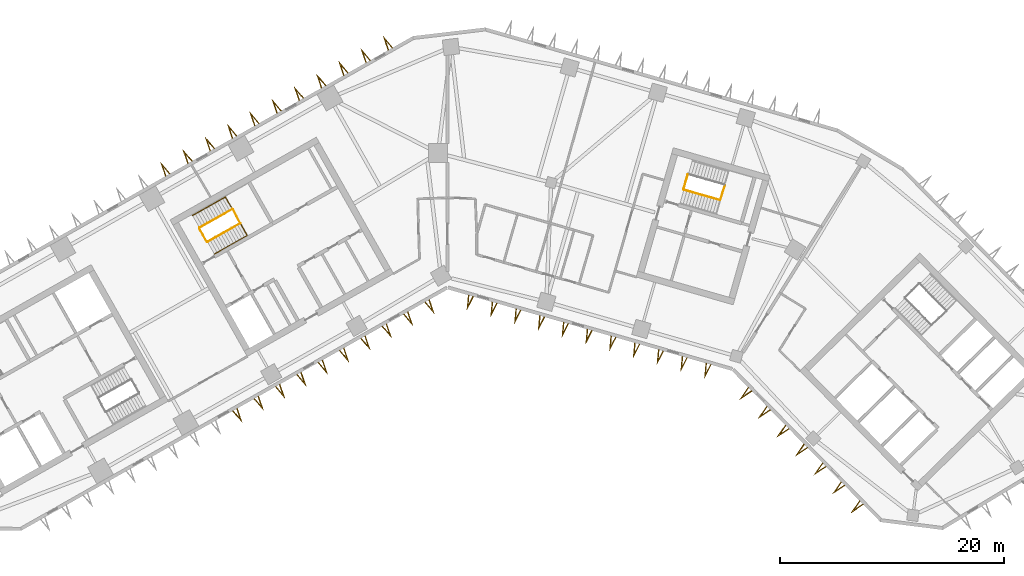
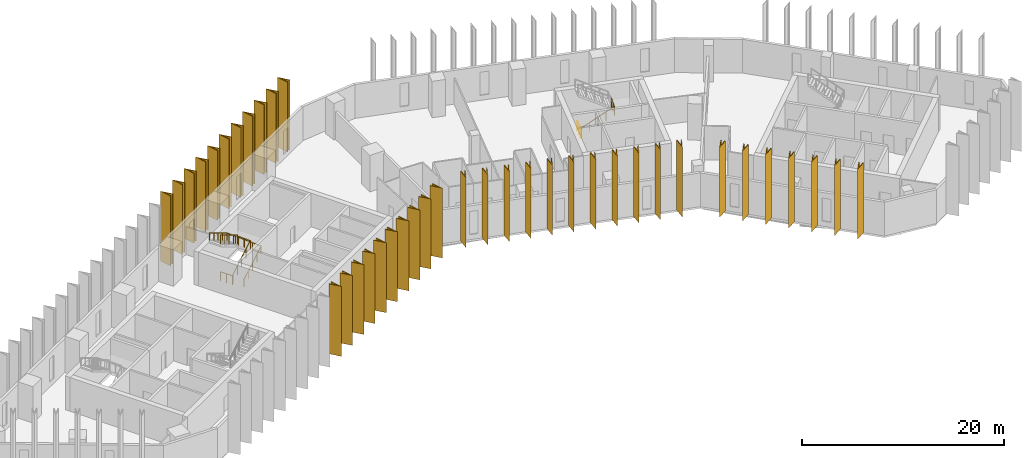
# One storey, part 10 of 11: 39 shading devices, 6 railings.
"""IFC4 building model written with IfcOpenShell, lengths in metres."""

import ifcopenshell
import ifcopenshell.guid

model = None  # the IFC model being written
_history = None  # IfcOwnerHistory: only IFC2X3 demands one
_inside = {}  # id of a spatial element -> (the spatial element, [elements in it])
_under = {}  # id of a project, library or spatial element -> (it, [spatial elements below it])
_declared = {}  # id of a project -> (the project, [libraries it declares])
_typed = {}  # id of a type object -> (the type object, [elements of that type])
_made_of = {}  # id of a material, layer set ... -> (it, [elements and type objects made of it])


def new_model(schema):
    """Start an empty IFC model of exactly this schema.

    Asked for "IFC4X3", IfcOpenShell would pick the latest addendum, in which some entities
    have other attributes; the version numbers below select the first issue.
    IFC2X3 requires an IfcOwnerHistory on every rooted entity: one is made here for all.
    """
    global model, _history
    if schema == "IFC4X3":
        model = ifcopenshell.file(schema_version=(4, 3, 0, 0))
    else:
        model = ifcopenshell.file(schema=schema)
    _inside.clear()
    _under.clear()
    _declared.clear()
    _typed.clear()
    _made_of.clear()
    _history = None
    if model.schema == "IFC2X3":
        org = make("IfcOrganization", Name="unknown")
        user = make(
            "IfcPersonAndOrganization",
            ThePerson=make("IfcPerson", FamilyName="unknown"),
            TheOrganization=org,
        )
        app = make(
            "IfcApplication",
            ApplicationDeveloper=org,
            Version="unknown",
            ApplicationFullName="unknown",
            ApplicationIdentifier="unknown",
        )
        _history = make(
            "IfcOwnerHistory",
            OwningUser=user,
            OwningApplication=app,
            ChangeAction="ADDED",
            CreationDate=0,
        )
    return model


def make(cls, **values):
    """One entity of the class cls with the attributes given. An attribute that is None is left unset."""
    return model.create_entity(
        cls, **{name: value for name, value in values.items() if value is not None}
    )


def rooted(cls, **values):
    """An entity with a GlobalId (a new one), such as an element, a storey or a relation."""
    return make(cls, GlobalId=ifcopenshell.guid.new(), OwnerHistory=_history, **values)


def si_unit(unit_type, name, prefix=None):
    """IfcSIUnit, for example si_unit("LENGTHUNIT", "METRE", prefix="MILLI")."""
    return make("IfcSIUnit", UnitType=unit_type, Prefix=prefix, Name=name)


def assignment(units):
    """IfcUnitAssignment: the units of a project."""
    return None if units is None else make("IfcUnitAssignment", Units=units)


def point(xyz):
    """IfcCartesianPoint."""
    return None if xyz is None else make("IfcCartesianPoint", Coordinates=xyz)


def direction(xyz):
    """IfcDirection."""
    return None if xyz is None else make("IfcDirection", DirectionRatios=xyz)


def frame(location, z_axis=None, x_axis=None):
    """IfcAxis2Placement3D, a coordinate frame: its origin and axes. An axis left out is left unset."""
    return make(
        "IfcAxis2Placement3D",
        Location=point(location),
        Axis=direction(z_axis),
        RefDirection=direction(x_axis),
    )


def frame_2d(location, x_axis=None):
    """IfcAxis2Placement2D, a coordinate frame in the plane: its origin and x axis."""
    return make(
        "IfcAxis2Placement2D", Location=point(location), RefDirection=direction(x_axis)
    )


def origin():
    """The frame at (0, 0, 0) with its axes left unset."""
    return frame((0.0, 0.0, 0.0))


def origin_2d():
    """The frame at (0, 0) in the plane with its x axis left unset."""
    return frame_2d((0.0, 0.0))


def place(relative_to, where):
    """IfcLocalPlacement: puts the frame where relative to a parent placement (None: the world)."""
    return make(
        "IfcLocalPlacement", PlacementRelTo=relative_to, RelativePlacement=where
    )


def context(
    kind, dimensions, precision=None, world=None, true_north=None, identifier=None
):
    """IfcGeometricRepresentationContext, for example the 3D "Model" context."""
    return make(
        "IfcGeometricRepresentationContext",
        ContextIdentifier=identifier,
        ContextType=kind,
        CoordinateSpaceDimension=dimensions,
        Precision=precision,
        WorldCoordinateSystem=world,
        TrueNorth=true_north,
    )


def subcontext(parent, identifier, kind, view, scale=None):
    """IfcGeometricRepresentationSubContext, for example "Body" below "Model"."""
    return make(
        "IfcGeometricRepresentationSubContext",
        ContextIdentifier=identifier,
        ContextType=kind,
        ParentContext=parent,
        TargetScale=scale,
        TargetView=view,
    )


def project(units=None, contexts=None):
    """IfcProject with its units and contexts."""
    return rooted(
        "IfcProject",
        Name="project",
        RepresentationContexts=contexts,
        UnitsInContext=assignment(units),
    )


def spatial(cls, under=None, at=None, **own):
    """A site, building, storey or space (cls), placed at a placement, below another one or the project."""
    s = rooted(cls, ObjectPlacement=at, **own)
    if under is not None:
        _under.setdefault(under.id(), (under, []))[1].append(s)
    return s


def polyline(points):
    """IfcPolyline through the points."""
    return make("IfcPolyline", Points=[point(p) for p in points])


def profile(cls, at=None, kind="AREA", **sizes):
    """A parametric profile (cls). Its sizes go by their IFC names, for example OverallWidth=200.0."""
    return make(cls, ProfileType=kind, Position=at, **sizes)


def circle(**sizes):
    """IfcCircleProfileDef."""
    return profile("IfcCircleProfileDef", **sizes)


def outline(outer, holes=None, kind="AREA"):
    """IfcArbitraryClosedProfileDef: a profile drawn as a closed curve; with holes, ...WithVoids."""
    if holes is None:
        return make("IfcArbitraryClosedProfileDef", ProfileType=kind, OuterCurve=outer)
    return make(
        "IfcArbitraryProfileDefWithVoids",
        ProfileType=kind,
        OuterCurve=outer,
        InnerCurves=holes,
    )


def extrude(swept, where, along, depth):
    """IfcExtrudedAreaSolid: the profile swept, set in the frame where, extruded along a direction by depth."""
    return make(
        "IfcExtrudedAreaSolid",
        SweptArea=swept,
        Position=where,
        ExtrudedDirection=direction(along),
        Depth=depth,
    )


def shape(context_of_items, identifier, shape_type, items):
    """IfcShapeRepresentation: the items that make up one representation, for example the "Body"."""
    return make(
        "IfcShapeRepresentation",
        ContextOfItems=context_of_items,
        RepresentationIdentifier=identifier,
        RepresentationType=shape_type,
        Items=items,
    )


def material(Name=None, Category=None):
    """IfcMaterial."""
    return make("IfcMaterial", Name=Name, Category=Category)


def made_of(thing, what):
    """Note that an element or type object is made of a material, layer set ...; save() writes the relation."""
    if what is not None:
        _made_of.setdefault(what.id(), (what, []))[1].append(thing)
    return thing


def type_object(cls, material=None, **own):
    """A type object (cls), such as IfcWallType, which elements share."""
    return made_of(rooted(cls, **own), material)


def element(
    cls,
    number,
    at=None,
    inside=None,
    cuts=None,
    type_object=None,
    material=None,
    context=None,
    identifier="Body",
    shape_type=None,
    held_by="IfcProductDefinitionShape",
    body=None,
    shapes=None,
    **own,
):
    """One element of the class cls, such as IfcWall. Its Tag is "e" and its number.

    at: its placement. inside: the storey or other place that contains it. cuts: it is an
    opening in that element (IfcRelVoidsElement). A single representation is given by context,
    identifier, shape_type and body (its items); several are given by shapes. held_by: the class
    of the entity that holds the representations. save() writes the other relations.
    """
    e = rooted(cls, Tag="e%d" % number, ObjectPlacement=at, **own)
    if body is not None:
        shapes = [shape(context, identifier, shape_type, body)]
    if shapes is not None:
        e.Representation = make(held_by, Representations=shapes)
    if inside is not None:
        _inside.setdefault(inside.id(), (inside, []))[1].append(e)
    if cuts is not None:
        rooted(
            "IfcRelVoidsElement", RelatingBuildingElement=cuts, RelatedOpeningElement=e
        )
    if type_object is not None:
        _typed.setdefault(type_object.id(), (type_object, []))[1].append(e)
    return made_of(e, material)


def aggregate(whole, parts):
    """IfcRelAggregates: a whole, such as a stair, and the parts it consists of."""
    return rooted("IfcRelAggregates", RelatingObject=whole, RelatedObjects=parts)


def save(model, path):
    """Write the relations noted so far, then the file.

    IfcRelAggregates (storeys below a building ...), IfcRelContainedInSpatialStructure (elements
    in a storey), IfcRelDefinesByType, IfcRelAssociatesMaterial and IfcRelDeclares: one each for
    every whole, place, type object, material and project.
    """
    for whole, parts in _under.values():
        aggregate(whole, parts)
    for where, things in _inside.values():
        rooted(
            "IfcRelContainedInSpatialStructure",
            RelatedElements=things,
            RelatingStructure=where,
        )
    for kind, things in _typed.values():
        rooted("IfcRelDefinesByType", RelatedObjects=things, RelatingType=kind)
    for what, things in _made_of.values():
        rooted("IfcRelAssociatesMaterial", RelatedObjects=things, RelatingMaterial=what)
    for by, libraries in _declared.values():
        rooted("IfcRelDeclares", RelatingContext=by, RelatedDefinitions=libraries)
    model.write(path)


model = new_model("IFC4")

# Units and contexts
model_context = context("Model", 3, precision=1e-05, world=origin(), true_north=direction((0.0, 1.0)))
body_context = subcontext(model_context, "Body", "Model", "MODEL_VIEW")
ifc_project = project(units=[si_unit("LENGTHUNIT", "METRE"), si_unit("AREAUNIT", "SQUARE_METRE"), si_unit("VOLUMEUNIT", "CUBIC_METRE"), si_unit("PLANEANGLEUNIT", "RADIAN"), si_unit("MASSUNIT", "GRAM", prefix="KILO")], contexts=[model_context])

# Site, building, storey
site_placement = place(None, origin())
site = spatial("IfcSite", under=ifc_project, at=site_placement, CompositionType="ELEMENT")
building_placement = place(site_placement, origin())
building = spatial("IfcBuilding", under=site, at=building_placement, Name="Binnacle Exchange Tower", CompositionType="ELEMENT")
storey_placement = place(building_placement, frame((0.0, 0.0, 141.10009765625)))
storey = spatial("IfcBuildingStorey", under=building, at=storey_placement, Name="L29", CompositionType="ELEMENT", Elevation=141.10009765625)

# Railings
ifc_material_1 = material(Name="Steel guard rail", Category="steel")
railing_type_1 = type_object("IfcRailingType", Name="STAIR GUARD 1100", PredefinedType="GUARDRAIL", material=ifc_material_1)
railing_1_placement = place(storey_placement, frame((-21.423828125, 52.07275390625, 0.169189453125)))
element("IfcRailing", 1, at=railing_1_placement, inside=storey, type_object=railing_type_1, Name="L29 STC1 stair guard 1", PredefinedType="GUARDRAIL", context=body_context, shape_type="SweptSolid", body=[
    extrude(circle(Radius=0.02392578125, at=origin_2d()), frame((0.0, 0.0, 1.076171875), z_axis=(0.744895141965, 0.421417011194, 0.517241655469), x_axis=(-0.49240197835, 0.870367905955, 0.0)), (0.0, 0.0, 1.0), 3.926025390625),
    extrude(circle(Radius=0.02392578125, at=origin_2d()), frame((2.924560546875, 1.654541015625, 3.10693359375), z_axis=(-0.461171632143, 0.887310952094, 0.0), x_axis=(-0.887310952094, -0.461171632143, 0.0)), (0.0, 0.0, 1.0), 1.40087890625),
    extrude(circle(Radius=0.02099609375, at=origin_2d()), origin(), (0.0, 0.0, 1.0), 1.052001953125),
    extrude(circle(Radius=0.02099609375, at=origin_2d()), frame((0.731201171875, 0.41357421875, 0.5078125)), (0.0, 0.0, 1.0), 1.052001953125),
    extrude(circle(Radius=0.02099609375, at=origin_2d()), frame((1.46240234375, 0.8271484375, 1.015380859375)), (0.0, 0.0, 1.0), 1.052001953125),
    extrude(circle(Radius=0.02099609375, at=origin_2d()), frame((2.193359375, 1.240966796875, 1.52294921875)), (0.0, 0.0, 1.0), 1.052001953125),
    extrude(circle(Radius=0.02099609375, at=origin_2d()), frame((2.924560546875, 1.654541015625, 2.03076171875)), (0.0, 0.0, 1.0), 1.052001953125),
    extrude(circle(Radius=0.02099609375, at=origin_2d()), frame((2.6015625, 2.27587890625, 2.03076171875)), (0.0, 0.0, 1.0), 1.052001953125),
    extrude(circle(Radius=0.02099609375, at=origin_2d()), frame((2.278564453125, 2.8974609375, 2.03076171875)), (0.0, 0.0, 1.0), 1.052001953125),
])
railing_2_placement = place(storey_placement, frame((-19.21337890625, 54.9892578125, 2.369140625)))
element("IfcRailing", 2, at=railing_2_placement, inside=storey, type_object=railing_type_1, Name="L29 STC1 stair guard 2", PredefinedType="GUARDRAIL", context=body_context, shape_type="SweptSolid", body=[
    extrude(circle(Radius=0.02392578125, at=origin_2d()), frame((0.0, 0.0, 1.076171875), z_axis=(-0.744867460262, -0.421436531824, 0.517265614832), x_axis=(0.492433119026, -0.870350287693, 0.0)), (0.0, 0.0, 1.0), 3.926025390625),
    extrude(circle(Radius=0.02099609375, at=origin_2d()), origin(), (0.0, 0.0, 1.0), 1.052001953125),
    extrude(circle(Radius=0.02099609375, at=origin_2d()), frame((-0.73095703125, -0.41357421875, 0.5078125)), (0.0, 0.0, 1.0), 1.052001953125),
    extrude(circle(Radius=0.02099609375, at=origin_2d()), frame((-1.462158203125, -0.8271484375, 1.015380859375)), (0.0, 0.0, 1.0), 1.052001953125),
    extrude(circle(Radius=0.02099609375, at=origin_2d()), frame((-2.193359375, -1.240966796875, 1.52294921875)), (0.0, 0.0, 1.0), 1.052001953125),
    extrude(circle(Radius=0.02099609375, at=origin_2d()), frame((-2.92431640625, -1.654541015625, 2.03076171875)), (0.0, 0.0, 1.0), 1.052001953125),
])
railing_3_placement = place(storey_placement, frame((-21.491943359375, 52.091552734375, 0.0)))
element("IfcRailing", 3, at=railing_3_placement, inside=storey, type_object=railing_type_1, Name="L29 STC1 stair guard 3", PredefinedType="GUARDRAIL", context=body_context, shape_type="SweptSolid", body=[
    extrude(circle(Radius=0.02392578125, at=origin_2d()), frame((0.0, 0.0, 1.076171875), z_axis=(-0.49241474071, 0.870360685654, 0.0), x_axis=(-0.870360685654, -0.49241474071, 0.0)), (0.0, 0.0, 1.0), 1.35009765625),
    extrude(circle(Radius=0.02099609375, at=origin_2d()), origin(), (0.0, 0.0, 1.0), 1.052001953125),
    extrude(circle(Radius=0.02099609375, at=origin_2d()), frame((-0.33251953125, 0.58740234375, 0.0)), (0.0, 0.0, 1.0), 1.052001953125),
    extrude(circle(Radius=0.02099609375, at=origin_2d()), frame((-0.664794921875, 1.175048828125, 0.0)), (0.0, 0.0, 1.0), 1.052001953125),
])
railing_4_placement = place(storey_placement, frame((21.086669921875, 56.71044921875, 0.169189453125)))
element("IfcRailing", 4, at=railing_4_placement, inside=storey, type_object=railing_type_1, Name="L29 STD1 stair guard 1", PredefinedType="GUARDRAIL", context=body_context, shape_type="SweptSolid", body=[
    extrude(circle(Radius=0.02392578125, at=origin_2d()), frame((0.0, 0.0, 1.076171875), z_axis=(0.82266146106, -0.235934506256, 0.517264950721), x_axis=(0.27568068152, 0.961249271436, 0.0)), (0.0, 0.0, 1.0), 3.926025390625),
    extrude(circle(Radius=0.02392578125, at=origin_2d()), frame((3.229736328125, -0.92626953125, 3.10693359375), z_axis=(0.309842533299, 0.950787886208, 0.0), x_axis=(-0.950787886208, 0.309842533299, 0.0)), (0.0, 0.0, 1.0), 1.40087890625),
    extrude(circle(Radius=0.02099609375, at=origin_2d()), origin(), (0.0, 0.0, 1.0), 1.052001953125),
    extrude(circle(Radius=0.02099609375, at=origin_2d()), frame((0.807373046875, -0.2314453125, 0.5078125)), (0.0, 0.0, 1.0), 1.052001953125),
    extrude(circle(Radius=0.02099609375, at=origin_2d()), frame((1.61474609375, -0.463134765625, 1.015380859375)), (0.0, 0.0, 1.0), 1.052001953125),
    extrude(circle(Radius=0.02099609375, at=origin_2d()), frame((2.42236328125, -0.69482421875, 1.52294921875)), (0.0, 0.0, 1.0), 1.052001953125),
    extrude(circle(Radius=0.02099609375, at=origin_2d()), frame((3.229736328125, -0.92626953125, 2.03076171875)), (0.0, 0.0, 1.0), 1.052001953125),
    extrude(circle(Radius=0.02099609375, at=origin_2d()), frame((3.44677734375, -0.26025390625, 2.03076171875)), (0.0, 0.0, 1.0), 1.052001953125),
    extrude(circle(Radius=0.02099609375, at=origin_2d()), frame((3.663818359375, 0.40576171875, 2.03076171875)), (0.0, 0.0, 1.0), 1.052001953125),
])
railing_5_placement = place(storey_placement, frame((21.05224609375, 56.772216796875, 0.0)))
element("IfcRailing", 5, at=railing_5_placement, inside=storey, type_object=railing_type_1, Name="L29 STD1 stair guard 3", PredefinedType="GUARDRAIL", context=body_context, shape_type="SweptSolid", body=[
    extrude(circle(Radius=0.02392578125, at=origin_2d()), frame((0.0, 0.0, 1.076171875), z_axis=(0.275795817769, 0.961216243569, 0.0), x_axis=(-0.961216243569, 0.275795817769, 0.0)), (0.0, 0.0, 1.0), 1.349853515625),
    extrude(circle(Radius=0.02099609375, at=origin_2d()), origin(), (0.0, 0.0, 1.0), 1.052001953125),
    extrude(circle(Radius=0.02099609375, at=origin_2d()), frame((0.18603515625, 0.64892578125, 0.0)), (0.0, 0.0, 1.0), 1.052001953125),
    extrude(circle(Radius=0.02099609375, at=origin_2d()), frame((0.372314453125, 1.297607421875, 0.0)), (0.0, 0.0, 1.0), 1.052001953125),
])
ifc_material_2 = material(Name="Steel handrail", Category="steel")
railing_type_2 = type_object("IfcRailingType", Name="STAIR HANDRAIL 900", PredefinedType="HANDRAIL", material=ifc_material_2)
railing_6_placement = place(storey_placement, frame((-20.808349609375, 50.984619140625, 0.169189453125)))
element("IfcRailing", 6, at=railing_6_placement, inside=storey, type_object=railing_type_2, Name="L29 STC1 stair handrail 1", PredefinedType="HANDRAIL", context=body_context, shape_type="SweptSolid", body=[
    extrude(circle(Radius=0.02392578125, at=origin_2d()), frame((0.0, 0.0, 0.8759765625), z_axis=(0.744895141965, 0.421417011194, 0.517241655469), x_axis=(-0.49240197835, 0.870367905955, 0.0)), (0.0, 0.0, 1.0), 3.926025390625),
    extrude(circle(Radius=0.02392578125, at=origin_2d()), frame((2.924560546875, 1.654541015625, 2.90673828125), z_axis=(-0.491962556146, 0.869564041126, 0.04279277663), x_axis=(-0.870361318571, -0.492413622004, 0.0)), (0.0, 0.0, 1.0), 3.95361328125),
    extrude(circle(Radius=0.02392578125, at=origin_2d()), frame((0.9794921875, 5.092529296875, 3.07568359375), z_axis=(-0.744895141965, -0.421417011194, 0.517241655469), x_axis=(0.49240197835, -0.870367905955, 0.0)), (0.0, 0.0, 1.0), 3.926025390625),
    extrude(circle(Radius=0.02099609375, at=origin_2d()), origin(), (0.0, 0.0, 1.0), 0.851806640625),
    extrude(circle(Radius=0.02099609375, at=origin_2d()), frame((0.731201171875, 0.41357421875, 0.5078125)), (0.0, 0.0, 1.0), 0.851806640625),
    extrude(circle(Radius=0.02099609375, at=origin_2d()), frame((1.46240234375, 0.8271484375, 1.015380859375)), (0.0, 0.0, 1.0), 0.851806640625),
    extrude(circle(Radius=0.02099609375, at=origin_2d()), frame((2.193359375, 1.240966796875, 1.52294921875)), (0.0, 0.0, 1.0), 0.851806640625),
    extrude(circle(Radius=0.02099609375, at=origin_2d()), frame((2.924560546875, 1.654541015625, 2.03076171875)), (0.0, 0.0, 1.0), 0.851806640625),
    extrude(circle(Radius=0.02099609375, at=origin_2d()), frame((2.438232421875, 2.51416015625, 2.072998046875)), (0.0, 0.0, 1.0), 0.851806640625),
    extrude(circle(Radius=0.02099609375, at=origin_2d()), frame((1.9521484375, 3.37353515625, 2.115234375)), (0.0, 0.0, 1.0), 0.851806640625),
    extrude(circle(Radius=0.02099609375, at=origin_2d()), frame((1.4658203125, 4.23291015625, 2.15771484375)), (0.0, 0.0, 1.0), 0.851806640625),
    extrude(circle(Radius=0.02099609375, at=origin_2d()), frame((0.9794921875, 5.092529296875, 2.199951171875)), (0.0, 0.0, 1.0), 0.851806640625),
    extrude(circle(Radius=0.02099609375, at=origin_2d()), frame((0.248291015625, 4.678955078125, 2.70751953125)), (0.0, 0.0, 1.0), 0.851806640625),
    extrude(circle(Radius=0.02099609375, at=origin_2d()), frame((-0.48291015625, 4.26513671875, 3.21533203125)), (0.0, 0.0, 1.0), 0.851806640625),
    extrude(circle(Radius=0.02099609375, at=origin_2d()), frame((-1.2138671875, 3.8515625, 3.72314453125)), (0.0, 0.0, 1.0), 0.851806640625),
    extrude(circle(Radius=0.02099609375, at=origin_2d()), frame((-1.945068359375, 3.43798828125, 4.230712890625)), (0.0, 0.0, 1.0), 0.851806640625),
])

# Shading devices
ifc_material_3 = material(Name="Bronze aluminium cladding", Category="aluminium")
shading_device_type = type_object("IfcShadingDeviceType", Name="V FIN 1300 DEEP x 8450 HIGH", PredefinedType="USERDEFINED", material=ifc_material_3)
shading_device_1_placement = place(storey_placement, origin())
element("IfcShadingDevice", 7, at=shading_device_1_placement, inside=storey, type_object=shading_device_type, Name="V fin FN-F03-01 L29", ObjectType="FIN", PredefinedType="USERDEFINED", context=body_context, shape_type="SweptSolid", body=[
    extrude(outline(polyline([(-4.88916015625, 69.40625), (-5.746826171875, 70.41455078125), (-5.32421875, 69.159912109375), (-5.25341796875, 69.2001953125), (-5.5380859375, 70.0458984375), (-4.9599609375, 69.3662109375), (-4.88916015625, 69.40625)])), origin(), (0.0, 0.0, 1.0), 8.449951171875),
])
shading_device_2_placement = place(storey_placement, origin())
element("IfcShadingDevice", 8, at=shading_device_2_placement, inside=storey, type_object=shading_device_type, Name="V fin FN-F03-02 L29", ObjectType="FIN", PredefinedType="USERDEFINED", context=body_context, shape_type="SweptSolid", body=[
    extrude(outline(polyline([(-6.87548828125, 68.2822265625), (-7.7333984375, 69.290771484375), (-7.310791015625, 68.0361328125), (-7.239990234375, 68.076171875), (-7.524658203125, 68.922119140625), (-6.946533203125, 68.2421875), (-6.87548828125, 68.2822265625)])), origin(), (0.0, 0.0, 1.0), 8.449951171875),
])
shading_device_3_placement = place(storey_placement, origin())
element("IfcShadingDevice", 9, at=shading_device_3_placement, inside=storey, type_object=shading_device_type, Name="V fin FN-F03-03 L29", ObjectType="FIN", PredefinedType="USERDEFINED", context=body_context, shape_type="SweptSolid", body=[
    extrude(outline(polyline([(-8.862060546875, 67.158203125), (-9.719970703125, 68.166748046875), (-9.29736328125, 66.912109375), (-9.226318359375, 66.9521484375), (-9.51123046875, 67.798095703125), (-8.93310546875, 67.1181640625), (-8.862060546875, 67.158203125)])), origin(), (0.0, 0.0, 1.0), 8.449951171875),
])
shading_device_4_placement = place(storey_placement, origin())
element("IfcShadingDevice", 10, at=shading_device_4_placement, inside=storey, type_object=shading_device_type, Name="V fin FN-F03-04 L29", ObjectType="FIN", PredefinedType="USERDEFINED", context=body_context, shape_type="SweptSolid", body=[
    extrude(outline(polyline([(-10.8486328125, 66.034423828125), (-11.70654296875, 67.042724609375), (-11.283935546875, 65.7880859375), (-11.212890625, 65.828369140625), (-11.497802734375, 66.674072265625), (-10.919677734375, 65.994384765625), (-10.8486328125, 66.034423828125)])), origin(), (0.0, 0.0, 1.0), 8.449951171875),
])
shading_device_5_placement = place(storey_placement, origin())
element("IfcShadingDevice", 11, at=shading_device_5_placement, inside=storey, type_object=shading_device_type, Name="V fin FN-F03-05 L29", ObjectType="FIN", PredefinedType="USERDEFINED", context=body_context, shape_type="SweptSolid", body=[
    extrude(outline(polyline([(-12.835205078125, 64.910400390625), (-13.693115234375, 65.9189453125), (-13.2705078125, 64.664306640625), (-13.199462890625, 64.704345703125), (-13.484375, 65.55029296875), (-12.906005859375, 64.870361328125), (-12.835205078125, 64.910400390625)])), origin(), (0.0, 0.0, 1.0), 8.449951171875),
])
shading_device_6_placement = place(storey_placement, origin())
element("IfcShadingDevice", 12, at=shading_device_6_placement, inside=storey, type_object=shading_device_type, Name="V fin FN-F03-06 L29", ObjectType="FIN", PredefinedType="USERDEFINED", context=body_context, shape_type="SweptSolid", body=[
    extrude(outline(polyline([(-14.82177734375, 63.78662109375), (-15.6796875, 64.794921875), (-15.257080078125, 63.540283203125), (-15.18603515625, 63.580322265625), (-15.470947265625, 64.42626953125), (-14.892578125, 63.746337890625), (-14.82177734375, 63.78662109375)])), origin(), (0.0, 0.0, 1.0), 8.449951171875),
])
shading_device_7_placement = place(storey_placement, origin())
element("IfcShadingDevice", 13, at=shading_device_7_placement, inside=storey, type_object=shading_device_type, Name="V fin FN-F03-07 L29", ObjectType="FIN", PredefinedType="USERDEFINED", context=body_context, shape_type="SweptSolid", body=[
    extrude(outline(polyline([(-16.808349609375, 62.66259765625), (-17.666015625, 63.6708984375), (-17.243408203125, 62.41650390625), (-17.172607421875, 62.45654296875), (-17.45751953125, 63.30224609375), (-16.879150390625, 62.62255859375), (-16.808349609375, 62.66259765625)])), origin(), (0.0, 0.0, 1.0), 8.449951171875),
])
shading_device_8_placement = place(storey_placement, origin())
element("IfcShadingDevice", 14, at=shading_device_8_placement, inside=storey, type_object=shading_device_type, Name="V fin FN-F03-08 L29", ObjectType="FIN", PredefinedType="USERDEFINED", context=body_context, shape_type="SweptSolid", body=[
    extrude(outline(polyline([(-18.794921875, 61.53857421875), (-19.652587890625, 62.547119140625), (-19.22998046875, 61.29248046875), (-19.1591796875, 61.33251953125), (-19.444091796875, 62.17822265625), (-18.86572265625, 61.49853515625), (-18.794921875, 61.53857421875)])), origin(), (0.0, 0.0, 1.0), 8.449951171875),
])
shading_device_9_placement = place(storey_placement, origin())
element("IfcShadingDevice", 15, at=shading_device_9_placement, inside=storey, type_object=shading_device_type, Name="V fin FN-F03-09 L29", ObjectType="FIN", PredefinedType="USERDEFINED", context=body_context, shape_type="SweptSolid", body=[
    extrude(outline(polyline([(-20.781494140625, 60.414794921875), (-21.639404296875, 61.423095703125), (-21.216796875, 60.16845703125), (-21.145751953125, 60.20849609375), (-21.4306640625, 61.054443359375), (-20.852294921875, 60.37451171875), (-20.781494140625, 60.414794921875)])), origin(), (0.0, 0.0, 1.0), 8.449951171875),
])
shading_device_10_placement = place(storey_placement, origin())
element("IfcShadingDevice", 16, at=shading_device_10_placement, inside=storey, type_object=shading_device_type, Name="V fin FN-F03-10 L29", ObjectType="FIN", PredefinedType="USERDEFINED", context=body_context, shape_type="SweptSolid", body=[
    extrude(outline(polyline([(-22.76806640625, 59.290771484375), (-23.625732421875, 60.29931640625), (-23.203125, 59.044677734375), (-23.13232421875, 59.084716796875), (-23.4169921875, 59.930419921875), (-22.8388671875, 59.250732421875), (-22.76806640625, 59.290771484375)])), origin(), (0.0, 0.0, 1.0), 8.449951171875),
])
shading_device_11_placement = place(storey_placement, origin())
element("IfcShadingDevice", 17, at=shading_device_11_placement, inside=storey, type_object=shading_device_type, Name="V fin FN-F03-11 L29", ObjectType="FIN", PredefinedType="USERDEFINED", context=body_context, shape_type="SweptSolid", body=[
    extrude(outline(polyline([(-24.754638671875, 58.166748046875), (-25.6123046875, 59.17529296875), (-25.189697265625, 57.920654296875), (-25.118896484375, 57.960693359375), (-25.40380859375, 58.806396484375), (-24.825439453125, 58.126708984375), (-24.754638671875, 58.166748046875)])), origin(), (0.0, 0.0, 1.0), 8.449951171875),
])
shading_device_12_placement = place(storey_placement, origin())
element("IfcShadingDevice", 18, at=shading_device_12_placement, inside=storey, type_object=shading_device_type, Name="V fin FN-F07-10 L29", ObjectType="FIN", PredefinedType="USERDEFINED", context=body_context, shape_type="SweptSolid", body=[
    extrude(outline(polyline([(-19.192626953125, 36.968994140625), (-18.334716796875, 35.960693359375), (-18.75732421875, 37.215087890625), (-18.828369140625, 37.175048828125), (-18.54345703125, 36.329345703125), (-19.12158203125, 37.009033203125), (-19.192626953125, 36.968994140625)])), origin(), (0.0, 0.0, 1.0), 8.449951171875),
])
shading_device_13_placement = place(storey_placement, origin())
element("IfcShadingDevice", 19, at=shading_device_13_placement, inside=storey, type_object=shading_device_type, Name="V fin FN-F07-11 L29", ObjectType="FIN", PredefinedType="USERDEFINED", context=body_context, shape_type="SweptSolid", body=[
    extrude(outline(polyline([(-17.28759765625, 38.046875), (-16.429931640625, 37.038330078125), (-16.8525390625, 38.29296875), (-16.92333984375, 38.2529296875), (-16.638671875, 37.406982421875), (-17.216796875, 38.0869140625), (-17.28759765625, 38.046875)])), origin(), (0.0, 0.0, 1.0), 8.449951171875),
])
shading_device_14_placement = place(storey_placement, origin())
element("IfcShadingDevice", 20, at=shading_device_14_placement, inside=storey, type_object=shading_device_type, Name="V fin FN-F07-12 L29", ObjectType="FIN", PredefinedType="USERDEFINED", context=body_context, shape_type="SweptSolid", body=[
    extrude(outline(polyline([(-15.3828125, 39.12451171875), (-14.525146484375, 38.1162109375), (-14.94775390625, 39.37060546875), (-15.0185546875, 39.33056640625), (-14.73388671875, 38.48486328125), (-15.31201171875, 39.16455078125), (-15.3828125, 39.12451171875)])), origin(), (0.0, 0.0, 1.0), 8.449951171875),
])
shading_device_15_placement = place(storey_placement, origin())
element("IfcShadingDevice", 21, at=shading_device_15_placement, inside=storey, type_object=shading_device_type, Name="V fin FN-F07-13 L29", ObjectType="FIN", PredefinedType="USERDEFINED", context=body_context, shape_type="SweptSolid", body=[
    extrude(outline(polyline([(-13.477783203125, 40.2021484375), (-12.6201171875, 39.19384765625), (-13.042724609375, 40.448486328125), (-13.113525390625, 40.408203125), (-12.828857421875, 39.5625), (-13.406982421875, 40.2421875), (-13.477783203125, 40.2021484375)])), origin(), (0.0, 0.0, 1.0), 8.449951171875),
])
shading_device_16_placement = place(storey_placement, origin())
element("IfcShadingDevice", 22, at=shading_device_16_placement, inside=storey, type_object=shading_device_type, Name="V fin FN-F07-14 L29", ObjectType="FIN", PredefinedType="USERDEFINED", context=body_context, shape_type="SweptSolid", body=[
    extrude(outline(polyline([(-11.572998046875, 41.280029296875), (-10.715087890625, 40.271484375), (-11.1376953125, 41.526123046875), (-11.208740234375, 41.486083984375), (-10.923828125, 40.640380859375), (-11.502197265625, 41.320068359375), (-11.572998046875, 41.280029296875)])), origin(), (0.0, 0.0, 1.0), 8.449951171875),
])
shading_device_17_placement = place(storey_placement, origin())
element("IfcShadingDevice", 23, at=shading_device_17_placement, inside=storey, type_object=shading_device_type, Name="V fin FN-F07-15 L29", ObjectType="FIN", PredefinedType="USERDEFINED", context=body_context, shape_type="SweptSolid", body=[
    extrude(outline(polyline([(-9.668212890625, 42.357666015625), (-8.810302734375, 41.349365234375), (-9.23291015625, 42.60400390625), (-9.303955078125, 42.563720703125), (-9.01904296875, 41.718017578125), (-9.597412109375, 42.397705078125), (-9.668212890625, 42.357666015625)])), origin(), (0.0, 0.0, 1.0), 8.449951171875),
])
shading_device_18_placement = place(storey_placement, origin())
element("IfcShadingDevice", 24, at=shading_device_18_placement, inside=storey, type_object=shading_device_type, Name="V fin FN-F07-16 L29", ObjectType="FIN", PredefinedType="USERDEFINED", context=body_context, shape_type="SweptSolid", body=[
    extrude(outline(polyline([(-7.76318359375, 43.435302734375), (-6.905517578125, 42.427001953125), (-7.327880859375, 43.681640625), (-7.39892578125, 43.6416015625), (-7.114013671875, 42.795654296875), (-7.6923828125, 43.4755859375), (-7.76318359375, 43.435302734375)])), origin(), (0.0, 0.0, 1.0), 8.449951171875),
])
shading_device_19_placement = place(storey_placement, origin())
element("IfcShadingDevice", 25, at=shading_device_19_placement, inside=storey, type_object=shading_device_type, Name="V fin FN-F07-17 L29", ObjectType="FIN", PredefinedType="USERDEFINED", context=body_context, shape_type="SweptSolid", body=[
    extrude(outline(polyline([(-5.8583984375, 44.51318359375), (-5.00048828125, 43.5048828125), (-5.423095703125, 44.759521484375), (-5.494140625, 44.71923828125), (-5.209228515625, 43.87353515625), (-5.78759765625, 44.55322265625), (-5.8583984375, 44.51318359375)])), origin(), (0.0, 0.0, 1.0), 8.449951171875),
])
shading_device_20_placement = place(storey_placement, origin())
element("IfcShadingDevice", 26, at=shading_device_20_placement, inside=storey, type_object=shading_device_type, Name="V fin FN-F07-18 L29", ObjectType="FIN", PredefinedType="USERDEFINED", context=body_context, shape_type="SweptSolid", body=[
    extrude(outline(polyline([(-3.95361328125, 45.5908203125), (-3.095703125, 44.58251953125), (-3.518310546875, 45.837158203125), (-3.589111328125, 45.797119140625), (-3.304443359375, 44.951171875), (-3.882568359375, 45.631103515625), (-3.95361328125, 45.5908203125)])), origin(), (0.0, 0.0, 1.0), 8.449951171875),
])
shading_device_21_placement = place(storey_placement, origin())
element("IfcShadingDevice", 27, at=shading_device_21_placement, inside=storey, type_object=shading_device_type, Name="V fin FN-F07-19 L29", ObjectType="FIN", PredefinedType="USERDEFINED", context=body_context, shape_type="SweptSolid", body=[
    extrude(outline(polyline([(-2.048583984375, 46.668701171875), (-1.19091796875, 45.660400390625), (-1.61328125, 46.914794921875), (-1.684326171875, 46.874755859375), (-1.3994140625, 46.029052734375), (-1.977783203125, 46.708740234375), (-2.048583984375, 46.668701171875)])), origin(), (0.0, 0.0, 1.0), 8.449951171875),
])
shading_device_22_placement = place(storey_placement, origin())
element("IfcShadingDevice", 28, at=shading_device_22_placement, inside=storey, type_object=shading_device_type, Name="V fin FN-F08-01 L29", ObjectType="FIN", PredefinedType="USERDEFINED", context=body_context, shape_type="SweptSolid", body=[
    extrude(outline(polyline([(1.837890625, 47.31689453125), (1.719970703125, 45.998291015625), (2.318603515625, 47.17919921875), (2.240234375, 47.201416015625), (1.836669921875, 46.405517578125), (1.916259765625, 47.29443359375), (1.837890625, 47.31689453125)])), origin(), (0.0, 0.0, 1.0), 8.449951171875),
])
shading_device_23_placement = place(storey_placement, origin())
element("IfcShadingDevice", 29, at=shading_device_23_placement, inside=storey, type_object=shading_device_type, Name="V fin FN-F08-02 L29", ObjectType="FIN", PredefinedType="USERDEFINED", context=body_context, shape_type="SweptSolid", body=[
    extrude(outline(polyline([(3.957763671875, 46.708984375), (3.839599609375, 45.390625), (4.438232421875, 46.5712890625), (4.360107421875, 46.59375), (3.956298828125, 45.7978515625), (4.035888671875, 46.686767578125), (3.957763671875, 46.708984375)])), origin(), (0.0, 0.0, 1.0), 8.449951171875),
])
shading_device_24_placement = place(storey_placement, origin())
element("IfcShadingDevice", 30, at=shading_device_24_placement, inside=storey, type_object=shading_device_type, Name="V fin FN-F08-03 L29", ObjectType="FIN", PredefinedType="USERDEFINED", context=body_context, shape_type="SweptSolid", body=[
    extrude(outline(polyline([(6.077392578125, 46.101318359375), (5.95947265625, 44.78271484375), (6.55810546875, 45.96337890625), (6.479736328125, 45.98583984375), (6.076171875, 45.18994140625), (6.15576171875, 46.078857421875), (6.077392578125, 46.101318359375)])), origin(), (0.0, 0.0, 1.0), 8.449951171875),
])
shading_device_25_placement = place(storey_placement, origin())
element("IfcShadingDevice", 31, at=shading_device_25_placement, inside=storey, type_object=shading_device_type, Name="V fin FN-F08-04 L29", ObjectType="FIN", PredefinedType="USERDEFINED", context=body_context, shape_type="SweptSolid", body=[
    extrude(outline(polyline([(8.197021484375, 45.493408203125), (8.0791015625, 44.175048828125), (8.677734375, 45.355712890625), (8.599365234375, 45.378173828125), (8.19580078125, 44.582275390625), (8.275390625, 45.47119140625), (8.197021484375, 45.493408203125)])), origin(), (0.0, 0.0, 1.0), 8.449951171875),
])
shading_device_26_placement = place(storey_placement, origin())
element("IfcShadingDevice", 32, at=shading_device_26_placement, inside=storey, type_object=shading_device_type, Name="V fin FN-F08-05 L29", ObjectType="FIN", PredefinedType="USERDEFINED", context=body_context, shape_type="SweptSolid", body=[
    extrude(outline(polyline([(10.316650390625, 44.8857421875), (10.19873046875, 43.567138671875), (10.79736328125, 44.747802734375), (10.718994140625, 44.770263671875), (10.3154296875, 43.974365234375), (10.39501953125, 44.86328125), (10.316650390625, 44.8857421875)])), origin(), (0.0, 0.0, 1.0), 8.449951171875),
])
shading_device_27_placement = place(storey_placement, origin())
element("IfcShadingDevice", 33, at=shading_device_27_placement, inside=storey, type_object=shading_device_type, Name="V fin FN-F08-06 L29", ObjectType="FIN", PredefinedType="USERDEFINED", context=body_context, shape_type="SweptSolid", body=[
    extrude(outline(polyline([(12.436279296875, 44.27783203125), (12.318359375, 42.95947265625), (12.9169921875, 44.14013671875), (12.838623046875, 44.16259765625), (12.43505859375, 43.36669921875), (12.5146484375, 44.255615234375), (12.436279296875, 44.27783203125)])), origin(), (0.0, 0.0, 1.0), 8.449951171875),
])
shading_device_28_placement = place(storey_placement, origin())
element("IfcShadingDevice", 34, at=shading_device_28_placement, inside=storey, type_object=shading_device_type, Name="V fin FN-F08-07 L29", ObjectType="FIN", PredefinedType="USERDEFINED", context=body_context, shape_type="SweptSolid", body=[
    extrude(outline(polyline([(14.55615234375, 43.670166015625), (14.43798828125, 42.3515625), (15.03662109375, 43.5322265625), (14.95849609375, 43.5546875), (14.5546875, 42.7587890625), (14.634521484375, 43.647705078125), (14.55615234375, 43.670166015625)])), origin(), (0.0, 0.0, 1.0), 8.449951171875),
])
shading_device_29_placement = place(storey_placement, origin())
element("IfcShadingDevice", 35, at=shading_device_29_placement, inside=storey, type_object=shading_device_type, Name="V fin FN-F08-08 L29", ObjectType="FIN", PredefinedType="USERDEFINED", context=body_context, shape_type="SweptSolid", body=[
    extrude(outline(polyline([(16.67578125, 43.062255859375), (16.557861328125, 41.743896484375), (17.156494140625, 42.924560546875), (17.078125, 42.947021484375), (16.674560546875, 42.15087890625), (16.754150390625, 43.039794921875), (16.67578125, 43.062255859375)])), origin(), (0.0, 0.0, 1.0), 8.449951171875),
])
shading_device_30_placement = place(storey_placement, origin())
element("IfcShadingDevice", 36, at=shading_device_30_placement, inside=storey, type_object=shading_device_type, Name="V fin FN-F08-09 L29", ObjectType="FIN", PredefinedType="USERDEFINED", context=body_context, shape_type="SweptSolid", body=[
    extrude(outline(polyline([(18.79541015625, 42.454345703125), (18.677490234375, 41.135986328125), (19.276123046875, 42.316650390625), (19.19775390625, 42.339111328125), (18.794189453125, 41.543212890625), (18.873779296875, 42.431884765625), (18.79541015625, 42.454345703125)])), origin(), (0.0, 0.0, 1.0), 8.449951171875),
])
shading_device_31_placement = place(storey_placement, origin())
element("IfcShadingDevice", 37, at=shading_device_31_placement, inside=storey, type_object=shading_device_type, Name="V fin FN-F08-10 L29", ObjectType="FIN", PredefinedType="USERDEFINED", context=body_context, shape_type="SweptSolid", body=[
    extrude(outline(polyline([(20.9150390625, 41.8466796875), (20.797119140625, 40.528076171875), (21.395751953125, 41.708740234375), (21.3173828125, 41.731201171875), (20.913818359375, 40.935302734375), (20.993408203125, 41.82421875), (20.9150390625, 41.8466796875)])), origin(), (0.0, 0.0, 1.0), 8.449951171875),
])
shading_device_32_placement = place(storey_placement, origin())
element("IfcShadingDevice", 38, at=shading_device_32_placement, inside=storey, type_object=shading_device_type, Name="V fin FN-F08-11 L29", ObjectType="FIN", PredefinedType="USERDEFINED", context=body_context, shape_type="SweptSolid", body=[
    extrude(outline(polyline([(23.034912109375, 41.23876953125), (22.916748046875, 39.92041015625), (23.515380859375, 41.10107421875), (23.43701171875, 41.123291015625), (23.033447265625, 40.327392578125), (23.113037109375, 41.21630859375), (23.034912109375, 41.23876953125)])), origin(), (0.0, 0.0, 1.0), 8.449951171875),
])
shading_device_33_placement = place(storey_placement, origin())
element("IfcShadingDevice", 39, at=shading_device_33_placement, inside=storey, type_object=shading_device_type, Name="V fin FN-F09-01 L29", ObjectType="FIN", PredefinedType="USERDEFINED", context=body_context, shape_type="SweptSolid", body=[
    extrude(outline(polyline([(26.810791015625, 39.093505859375), (26.05859375, 38.00390625), (27.1611328125, 38.73681640625), (27.10400390625, 38.794921875), (26.36083984375, 38.30078125), (26.867919921875, 39.035400390625), (26.810791015625, 39.093505859375)])), origin(), (0.0, 0.0, 1.0), 8.449951171875),
])
shading_device_34_placement = place(storey_placement, origin())
element("IfcShadingDevice", 40, at=shading_device_34_placement, inside=storey, type_object=shading_device_type, Name="V fin FN-F09-02 L29", ObjectType="FIN", PredefinedType="USERDEFINED", context=body_context, shape_type="SweptSolid", body=[
    extrude(outline(polyline([(28.467529296875, 37.407470703125), (27.715576171875, 36.31787109375), (28.818115234375, 37.05078125), (28.760986328125, 37.10888671875), (28.017578125, 36.61474609375), (28.524658203125, 37.349365234375), (28.467529296875, 37.407470703125)])), origin(), (0.0, 0.0, 1.0), 8.449951171875),
])
shading_device_35_placement = place(storey_placement, origin())
element("IfcShadingDevice", 41, at=shading_device_35_placement, inside=storey, type_object=shading_device_type, Name="V fin FN-F09-03 L29", ObjectType="FIN", PredefinedType="USERDEFINED", context=body_context, shape_type="SweptSolid", body=[
    extrude(outline(polyline([(30.12451171875, 35.721435546875), (29.372314453125, 34.632080078125), (30.474853515625, 35.364990234375), (30.417724609375, 35.423095703125), (29.674560546875, 34.928955078125), (30.181396484375, 35.663330078125), (30.12451171875, 35.721435546875)])), origin(), (0.0, 0.0, 1.0), 8.449951171875),
])
shading_device_36_placement = place(storey_placement, origin())
element("IfcShadingDevice", 42, at=shading_device_36_placement, inside=storey, type_object=shading_device_type, Name="V fin FN-F09-04 L29", ObjectType="FIN", PredefinedType="USERDEFINED", context=body_context, shape_type="SweptSolid", body=[
    extrude(outline(polyline([(31.78125, 34.035400390625), (31.029296875, 32.94580078125), (32.131591796875, 33.6787109375), (32.07470703125, 33.73681640625), (31.331298828125, 33.242919921875), (31.83837890625, 33.977294921875), (31.78125, 34.035400390625)])), origin(), (0.0, 0.0, 1.0), 8.449951171875),
])
shading_device_37_placement = place(storey_placement, origin())
element("IfcShadingDevice", 43, at=shading_device_37_placement, inside=storey, type_object=shading_device_type, Name="V fin FN-F09-05 L29", ObjectType="FIN", PredefinedType="USERDEFINED", context=body_context, shape_type="SweptSolid", body=[
    extrude(outline(polyline([(33.43798828125, 32.349365234375), (32.68603515625, 31.260009765625), (33.78857421875, 31.992919921875), (33.7314453125, 32.05078125), (32.98828125, 31.556884765625), (33.4951171875, 32.291259765625), (33.43798828125, 32.349365234375)])), origin(), (0.0, 0.0, 1.0), 8.449951171875),
])
shading_device_38_placement = place(storey_placement, origin())
element("IfcShadingDevice", 44, at=shading_device_38_placement, inside=storey, type_object=shading_device_type, Name="V fin FN-F09-06 L29", ObjectType="FIN", PredefinedType="USERDEFINED", context=body_context, shape_type="SweptSolid", body=[
    extrude(outline(polyline([(35.094970703125, 30.663330078125), (34.343017578125, 29.573974609375), (35.4453125, 30.306884765625), (35.38818359375, 30.364990234375), (34.64501953125, 29.870849609375), (35.152099609375, 30.605224609375), (35.094970703125, 30.663330078125)])), origin(), (0.0, 0.0, 1.0), 8.449951171875),
])
shading_device_39_placement = place(storey_placement, origin())
element("IfcShadingDevice", 45, at=shading_device_39_placement, inside=storey, type_object=shading_device_type, Name="V fin FN-F09-07 L29", ObjectType="FIN", PredefinedType="USERDEFINED", context=body_context, shape_type="SweptSolid", body=[
    extrude(outline(polyline([(36.751708984375, 28.977294921875), (35.999755859375, 27.887939453125), (37.102294921875, 28.620849609375), (37.045166015625, 28.678955078125), (36.302001953125, 28.184814453125), (36.808837890625, 28.919189453125), (36.751708984375, 28.977294921875)])), origin(), (0.0, 0.0, 1.0), 8.449951171875),
])

save(model, "model.ifc")
